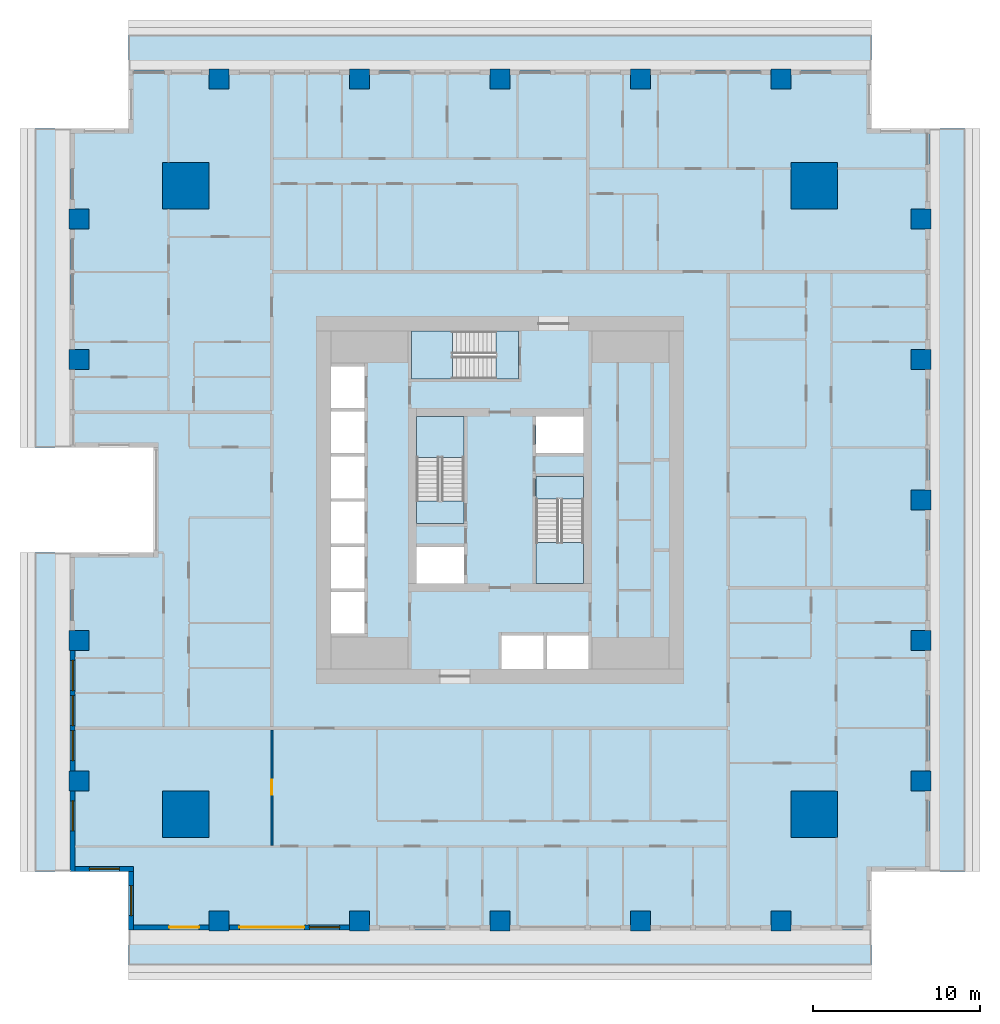
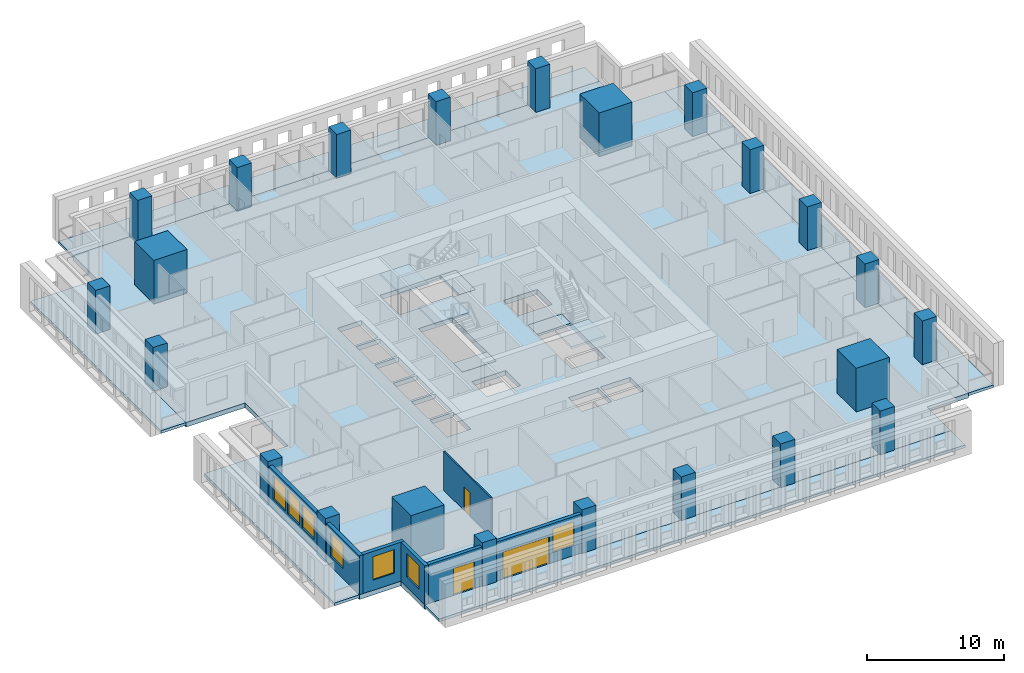
# One storey, part 1 of 15: 23 columns, 12 slabs, 7 walls, 7 windows, 3 doors, 10 openings, 3 elements without a shape of their own.
"""IFC4 building model written with IfcOpenShell, lengths in metres."""

import ifcopenshell
import ifcopenshell.guid

model = None  # the IFC model being written
_history = None  # IfcOwnerHistory: only IFC2X3 demands one
_inside = {}  # id of a spatial element -> (the spatial element, [elements in it])
_under = {}  # id of a project, library or spatial element -> (it, [spatial elements below it])
_declared = {}  # id of a project -> (the project, [libraries it declares])
_typed = {}  # id of a type object -> (the type object, [elements of that type])
_made_of = {}  # id of a material, layer set ... -> (it, [elements and type objects made of it])


def new_model(schema):
    """Start an empty IFC model of exactly this schema.

    Asked for "IFC4X3", IfcOpenShell would pick the latest addendum, in which some entities
    have other attributes; the version numbers below select the first issue.
    IFC2X3 requires an IfcOwnerHistory on every rooted entity: one is made here for all.
    """
    global model, _history
    if schema == "IFC4X3":
        model = ifcopenshell.file(schema_version=(4, 3, 0, 0))
    else:
        model = ifcopenshell.file(schema=schema)
    _inside.clear()
    _under.clear()
    _declared.clear()
    _typed.clear()
    _made_of.clear()
    _history = None
    if model.schema == "IFC2X3":
        org = make("IfcOrganization", Name="unknown")
        user = make(
            "IfcPersonAndOrganization",
            ThePerson=make("IfcPerson", FamilyName="unknown"),
            TheOrganization=org,
        )
        app = make(
            "IfcApplication",
            ApplicationDeveloper=org,
            Version="unknown",
            ApplicationFullName="unknown",
            ApplicationIdentifier="unknown",
        )
        _history = make(
            "IfcOwnerHistory",
            OwningUser=user,
            OwningApplication=app,
            ChangeAction="ADDED",
            CreationDate=0,
        )
    return model


def make(cls, **values):
    """One entity of the class cls with the attributes given. An attribute that is None is left unset."""
    return model.create_entity(
        cls, **{name: value for name, value in values.items() if value is not None}
    )


def rooted(cls, **values):
    """An entity with a GlobalId (a new one), such as an element, a storey or a relation."""
    return make(cls, GlobalId=ifcopenshell.guid.new(), OwnerHistory=_history, **values)


def si_unit(unit_type, name, prefix=None):
    """IfcSIUnit, for example si_unit("LENGTHUNIT", "METRE", prefix="MILLI")."""
    return make("IfcSIUnit", UnitType=unit_type, Prefix=prefix, Name=name)


def assignment(units):
    """IfcUnitAssignment: the units of a project."""
    return None if units is None else make("IfcUnitAssignment", Units=units)


def point(xyz):
    """IfcCartesianPoint."""
    return None if xyz is None else make("IfcCartesianPoint", Coordinates=xyz)


def direction(xyz):
    """IfcDirection."""
    return None if xyz is None else make("IfcDirection", DirectionRatios=xyz)


def frame(location, z_axis=None, x_axis=None):
    """IfcAxis2Placement3D, a coordinate frame: its origin and axes. An axis left out is left unset."""
    return make(
        "IfcAxis2Placement3D",
        Location=point(location),
        Axis=direction(z_axis),
        RefDirection=direction(x_axis),
    )


def frame_2d(location, x_axis=None):
    """IfcAxis2Placement2D, a coordinate frame in the plane: its origin and x axis."""
    return make(
        "IfcAxis2Placement2D", Location=point(location), RefDirection=direction(x_axis)
    )


def origin():
    """The frame at (0, 0, 0) with its axes left unset."""
    return frame((0.0, 0.0, 0.0))


def origin_2d():
    """The frame at (0, 0) in the plane with its x axis left unset."""
    return frame_2d((0.0, 0.0))


def place(relative_to, where):
    """IfcLocalPlacement: puts the frame where relative to a parent placement (None: the world)."""
    return make(
        "IfcLocalPlacement", PlacementRelTo=relative_to, RelativePlacement=where
    )


def context(
    kind, dimensions, precision=None, world=None, true_north=None, identifier=None
):
    """IfcGeometricRepresentationContext, for example the 3D "Model" context."""
    return make(
        "IfcGeometricRepresentationContext",
        ContextIdentifier=identifier,
        ContextType=kind,
        CoordinateSpaceDimension=dimensions,
        Precision=precision,
        WorldCoordinateSystem=world,
        TrueNorth=true_north,
    )


def subcontext(parent, identifier, kind, view, scale=None):
    """IfcGeometricRepresentationSubContext, for example "Body" below "Model"."""
    return make(
        "IfcGeometricRepresentationSubContext",
        ContextIdentifier=identifier,
        ContextType=kind,
        ParentContext=parent,
        TargetScale=scale,
        TargetView=view,
    )


def project(units=None, contexts=None):
    """IfcProject with its units and contexts."""
    return rooted(
        "IfcProject",
        Name="project",
        RepresentationContexts=contexts,
        UnitsInContext=assignment(units),
    )


def spatial(cls, under=None, at=None, **own):
    """A site, building, storey or space (cls), placed at a placement, below another one or the project."""
    s = rooted(cls, ObjectPlacement=at, **own)
    if under is not None:
        _under.setdefault(under.id(), (under, []))[1].append(s)
    return s


def polyline(points):
    """IfcPolyline through the points."""
    return make("IfcPolyline", Points=[point(p) for p in points])


def profile(cls, at=None, kind="AREA", **sizes):
    """A parametric profile (cls). Its sizes go by their IFC names, for example OverallWidth=200.0."""
    return make(cls, ProfileType=kind, Position=at, **sizes)


def rectangle(**sizes):
    """IfcRectangleProfileDef."""
    return profile("IfcRectangleProfileDef", **sizes)


def outline(outer, holes=None, kind="AREA"):
    """IfcArbitraryClosedProfileDef: a profile drawn as a closed curve; with holes, ...WithVoids."""
    if holes is None:
        return make("IfcArbitraryClosedProfileDef", ProfileType=kind, OuterCurve=outer)
    return make(
        "IfcArbitraryProfileDefWithVoids",
        ProfileType=kind,
        OuterCurve=outer,
        InnerCurves=holes,
    )


def extrude(swept, where, along, depth):
    """IfcExtrudedAreaSolid: the profile swept, set in the frame where, extruded along a direction by depth."""
    return make(
        "IfcExtrudedAreaSolid",
        SweptArea=swept,
        Position=where,
        ExtrudedDirection=direction(along),
        Depth=depth,
    )


def shape(context_of_items, identifier, shape_type, items):
    """IfcShapeRepresentation: the items that make up one representation, for example the "Body"."""
    return make(
        "IfcShapeRepresentation",
        ContextOfItems=context_of_items,
        RepresentationIdentifier=identifier,
        RepresentationType=shape_type,
        Items=items,
    )


def material(Name=None, Category=None):
    """IfcMaterial."""
    return make("IfcMaterial", Name=Name, Category=Category)


def layer(
    of_material, thickness, ventilated=None, Name=None, Category=None, Priority=None
):
    """IfcMaterialLayer: one layer of a wall or slab, of a material (None: an air gap)."""
    return make(
        "IfcMaterialLayer",
        Material=of_material,
        LayerThickness=thickness,
        IsVentilated=ventilated,
        Name=Name,
        Category=Category,
        Priority=Priority,
    )


def layer_set(layers, Name=None):
    """IfcMaterialLayerSet."""
    return make("IfcMaterialLayerSet", MaterialLayers=layers, LayerSetName=Name)


def material_profile(
    of_material, cross_section, Name=None, Category=None, Priority=None
):
    """IfcMaterialProfile: a cross section and its material."""
    return make(
        "IfcMaterialProfile",
        Name=Name,
        Material=of_material,
        Profile=cross_section,
        Priority=Priority,
        Category=Category,
    )


def profile_set(profiles, Name=None, composite=None):
    """IfcMaterialProfileSet."""
    return make(
        "IfcMaterialProfileSet",
        Name=Name,
        MaterialProfiles=profiles,
        CompositeProfile=composite,
    )


def made_of(thing, what):
    """Note that an element or type object is made of a material, layer set ...; save() writes the relation."""
    if what is not None:
        _made_of.setdefault(what.id(), (what, []))[1].append(thing)
    return thing


def type_object(cls, material=None, **own):
    """A type object (cls), such as IfcWallType, which elements share."""
    return made_of(rooted(cls, **own), material)


def element(
    cls,
    number,
    at=None,
    inside=None,
    cuts=None,
    type_object=None,
    material=None,
    context=None,
    identifier="Body",
    shape_type=None,
    held_by="IfcProductDefinitionShape",
    body=None,
    shapes=None,
    **own,
):
    """One element of the class cls, such as IfcWall. Its Tag is "e" and its number.

    at: its placement. inside: the storey or other place that contains it. cuts: it is an
    opening in that element (IfcRelVoidsElement). A single representation is given by context,
    identifier, shape_type and body (its items); several are given by shapes. held_by: the class
    of the entity that holds the representations. save() writes the other relations.
    """
    e = rooted(cls, Tag="e%d" % number, ObjectPlacement=at, **own)
    if body is not None:
        shapes = [shape(context, identifier, shape_type, body)]
    if shapes is not None:
        e.Representation = make(held_by, Representations=shapes)
    if inside is not None:
        _inside.setdefault(inside.id(), (inside, []))[1].append(e)
    if cuts is not None:
        rooted(
            "IfcRelVoidsElement", RelatingBuildingElement=cuts, RelatedOpeningElement=e
        )
    if type_object is not None:
        _typed.setdefault(type_object.id(), (type_object, []))[1].append(e)
    return made_of(e, material)


def fill(opening, filler):
    """IfcRelFillsElement: the door or window that sits in an opening."""
    return rooted(
        "IfcRelFillsElement",
        RelatingOpeningElement=opening,
        RelatedBuildingElement=filler,
    )


def aggregate(whole, parts):
    """IfcRelAggregates: a whole, such as a stair, and the parts it consists of."""
    return rooted("IfcRelAggregates", RelatingObject=whole, RelatedObjects=parts)


def save(model, path):
    """Write the relations noted so far, then the file.

    IfcRelAggregates (storeys below a building ...), IfcRelContainedInSpatialStructure (elements
    in a storey), IfcRelDefinesByType, IfcRelAssociatesMaterial and IfcRelDeclares: one each for
    every whole, place, type object, material and project.
    """
    for whole, parts in _under.values():
        aggregate(whole, parts)
    for where, things in _inside.values():
        rooted(
            "IfcRelContainedInSpatialStructure",
            RelatedElements=things,
            RelatingStructure=where,
        )
    for kind, things in _typed.values():
        rooted("IfcRelDefinesByType", RelatedObjects=things, RelatingType=kind)
    for what, things in _made_of.values():
        rooted("IfcRelAssociatesMaterial", RelatedObjects=things, RelatingMaterial=what)
    for by, libraries in _declared.values():
        rooted("IfcRelDeclares", RelatingContext=by, RelatedDefinitions=libraries)
    model.write(path)


model = new_model("IFC4")

# Units and contexts
model_context = context("Model", 3, precision=1e-05, world=origin(), true_north=direction((0.0, 1.0)))
body_context = subcontext(model_context, "Body", "Model", "MODEL_VIEW")
ifc_project = project(units=[si_unit("LENGTHUNIT", "METRE"), si_unit("AREAUNIT", "SQUARE_METRE"), si_unit("VOLUMEUNIT", "CUBIC_METRE"), si_unit("PLANEANGLEUNIT", "RADIAN"), si_unit("MASSUNIT", "GRAM", prefix="KILO")], contexts=[model_context])

# Site, building, storey
site_placement = place(None, origin())
site = spatial("IfcSite", under=ifc_project, at=site_placement, CompositionType="ELEMENT")
building_placement = place(site_placement, origin())
building = spatial("IfcBuilding", under=site, at=building_placement, Name="Khepri Terraces", CompositionType="ELEMENT")
storey_placement = place(building_placement, frame((0.0, 0.0, 83.10009765625)))
storey = spatial("IfcBuildingStorey", under=building, at=storey_placement, Name="L19", CompositionType="ELEMENT", Elevation=83.10009765625)

# Columns
ifc_material_1 = material(Name="Concrete C70/85", Category="concrete")
ifc_material_profile_1 = material_profile(ifc_material_1, rectangle(XDim=2.800048828125, YDim=2.800048828125, at=origin_2d()), Name="Concrete C70/85", Category="concrete")
ifc_profile_set_1 = profile_set([ifc_material_profile_1], Name="Concrete C70/85")
column_type_1 = type_object("IfcColumnType", Name="Mega column RC 2800x2800 C70/85", PredefinedType="COLUMN", material=ifc_profile_set_1)
for number, where, z_axis, x_axis, name in (
    (1, (18.800048828125, 18.800048828125, 0.0), (0.0, 0.0, 1.0), (1.0, 0.0, 0.0), "Mega column MEN L19"),
    (2, (18.800048828125, -18.800048828125, 0.0), (0.0, 0.0, 1.0), (1.0, 0.0, 0.0), "Mega column MES L19"),
    (3, (-18.800048828125, 18.800048828125, 0.0), (0.0, 0.0, 1.0), (1.0, 0.0, 0.0), "Mega column MWN L19"),
    (4, (-18.800048828125, -18.800048828125, 0.0), (0.0, 0.0, 1.0), (1.0, 0.0, 0.0), "Mega column MWS L19"),
):
    element("IfcColumn", number, at=place(storey_placement, frame(where, z_axis=z_axis, x_axis=x_axis)), inside=storey, type_object=column_type_1, Name=name, PredefinedType="COLUMN", context=body_context, shape_type="SweptSolid", body=[
        extrude(rectangle(XDim=2.800048828125, YDim=2.800048828125, at=origin_2d()), origin(), (0.0, 0.0, 1.0), 3.89990234375),
    ])
ifc_material_profile_2 = material_profile(ifc_material_1, rectangle(XDim=1.199951171875, YDim=1.199951171875, at=origin_2d()), Name="Concrete C70/85", Category="concrete")
ifc_profile_set_2 = profile_set([ifc_material_profile_2], Name="Concrete C70/85")
column_type_2 = type_object("IfcColumnType", Name="Tower column RC 1200x1200 C70/85", PredefinedType="COLUMN", material=ifc_profile_set_2)
for number, where, z_axis, x_axis, name in (
    (5, (25.199951171875, 0.0, 0.0), (0.0, 0.0, 1.0), (1.0, 0.0, 0.0), "Perimeter column PE+000a L19"),
    (6, (25.199951171875, 8.39990234375, 0.0), (0.0, 0.0, 1.0), (1.0, 0.0, 0.0), "Perimeter column PE+084a L19"),
    (7, (25.199951171875, 16.800048828125, 0.0), (0.0, 0.0, 1.0), (1.0, 0.0, 0.0), "Perimeter column PE+168a L19"),
    (8, (25.199951171875, -8.39990234375, 0.0), (0.0, 0.0, 1.0), (1.0, 0.0, 0.0), "Perimeter column PE-084a L19"),
    (9, (25.199951171875, -16.800048828125, 0.0), (0.0, 0.0, 1.0), (1.0, 0.0, 0.0), "Perimeter column PE-168a L19"),
    (10, (0.0, 25.199951171875, 0.0), (0.0, 0.0, 1.0), (1.0, 0.0, 0.0), "Perimeter column PN+000a L19"),
    (11, (-8.39990234375, 25.199951171875, 0.0), (0.0, 0.0, 1.0), (1.0, 0.0, 0.0), "Perimeter column PN+084a L19"),
    (12, (-16.800048828125, 25.199951171875, 0.0), (0.0, 0.0, 1.0), (1.0, 0.0, 0.0), "Perimeter column PN+168a L19"),
    (13, (8.39990234375, 25.199951171875, 0.0), (0.0, 0.0, 1.0), (1.0, 0.0, 0.0), "Perimeter column PN-084a L19"),
    (14, (16.800048828125, 25.199951171875, 0.0), (0.0, 0.0, 1.0), (1.0, 0.0, 0.0), "Perimeter column PN-168a L19"),
    (15, (0.0, -25.199951171875, 0.0), (0.0, 0.0, 1.0), (1.0, 0.0, 0.0), "Perimeter column PS+000b L19"),
    (16, (8.39990234375, -25.199951171875, 0.0), (0.0, 0.0, 1.0), (1.0, 0.0, 0.0), "Perimeter column PS+084b L19"),
    (17, (16.800048828125, -25.199951171875, 0.0), (0.0, 0.0, 1.0), (1.0, 0.0, 0.0), "Perimeter column PS+168a L19"),
    (18, (-8.39990234375, -25.199951171875, 0.0), (0.0, 0.0, 1.0), (1.0, 0.0, 0.0), "Perimeter column PS-084b L19"),
    (19, (-16.800048828125, -25.199951171875, 0.0), (0.0, 0.0, 1.0), (1.0, 0.0, 0.0), "Perimeter column PS-168a L19"),
    (20, (-25.199951171875, -8.39990234375, 0.0), (0.0, 0.0, 1.0), (1.0, 0.0, 0.0), "Perimeter column PW+084a L19"),
    (21, (-25.199951171875, -16.800048828125, 0.0), (0.0, 0.0, 1.0), (1.0, 0.0, 0.0), "Perimeter column PW+168a L19"),
    (22, (-25.199951171875, 8.39990234375, 0.0), (0.0, 0.0, 1.0), (1.0, 0.0, 0.0), "Perimeter column PW-084a L19"),
    (23, (-25.199951171875, 16.800048828125, 0.0), (0.0, 0.0, 1.0), (1.0, 0.0, 0.0), "Perimeter column PW-168a L19"),
):
    element("IfcColumn", number, at=place(storey_placement, frame(where, z_axis=z_axis, x_axis=x_axis)), inside=storey, type_object=column_type_2, Name=name, PredefinedType="COLUMN", context=body_context, shape_type="SweptSolid", body=[
        extrude(rectangle(XDim=1.199951171875, YDim=1.199951171875, at=origin_2d()), origin(), (0.0, 0.0, 1.0), 3.89990234375),
    ])

# Slabs
ifc_material_2 = material(Name="Concrete C40/50", Category="concrete")
ifc_layer_1 = layer(ifc_material_2, 0.419921875, Name="Concrete C40/50", Category="concrete")
ifc_layer_set_1 = layer_set([ifc_layer_1], Name="Concrete C40/50")
slab_type_1 = type_object("IfcSlabType", Name="Flat plate 420", PredefinedType="FLOOR", material=ifc_layer_set_1)
slab_1_placement = place(storey_placement, frame((0.0, 0.0, -0.420166015625)))
element("IfcSlab", 24, at=slab_1_placement, inside=storey, type_object=slab_type_1, Name="Floor slab F01 L19", PredefinedType="FLOOR", context=body_context, shape_type="SweptSolid", body=[
    extrude(outline(polyline([(22.219970703125, 22.219970703125), (25.719970703125, 22.219970703125), (25.719970703125, -22.219970703125), (22.219970703125, -22.219970703125), (22.219970703125, -25.719970703125), (-22.219970703125, -25.719970703125), (-22.219970703125, -22.219970703125), (-25.719970703125, -22.219970703125), (-25.719970703125, -3.14990234375), (-20.719970703125, -3.14990234375), (-20.719970703125, 3.14990234375), (-25.719970703125, 3.14990234375), (-25.719970703125, 22.219970703125), (-22.219970703125, 22.219970703125), (-22.219970703125, 25.719970703125), (22.219970703125, 25.719970703125), (22.219970703125, 22.219970703125)]), holes=[polyline([(5.0, 5.0), (2.14990234375, 5.0), (2.14990234375, 2.800048828125), (5.0, 2.800048828125), (5.0, 5.0)]), polyline([(-2.14990234375, -5.0), (-2.14990234375, -2.800048828125), (-5.0, -2.800048828125), (-5.0, -5.0), (-2.14990234375, -5.0)]), polyline([(-10.10009765625, -8.0), (-8.10009765625, -8.0), (-8.10009765625, -5.5), (-10.10009765625, -5.5), (-10.10009765625, -8.0)]), polyline([(-10.10009765625, -2.800048828125), (-10.10009765625, -5.300048828125), (-8.10009765625, -5.300048828125), (-8.10009765625, -2.800048828125), (-10.10009765625, -2.800048828125)]), polyline([(-8.10009765625, -0.10009765625), (-10.10009765625, -0.10009765625), (-10.10009765625, -2.60009765625), (-8.10009765625, -2.60009765625), (-8.10009765625, -0.10009765625)]), polyline([(-8.10009765625, 0.10009765625), (-8.10009765625, 2.60009765625), (-10.10009765625, 2.60009765625), (-10.10009765625, 0.10009765625), (-8.10009765625, 0.10009765625)]), polyline([(-10.10009765625, 2.800048828125), (-8.10009765625, 2.800048828125), (-8.10009765625, 5.300048828125), (-10.10009765625, 5.300048828125), (-10.10009765625, 2.800048828125)]), polyline([(-10.10009765625, 8.0), (-10.10009765625, 5.5), (-8.10009765625, 5.5), (-8.10009765625, 8.0), (-10.10009765625, 8.0)]), polyline([(2.60009765625, -8.10009765625), (0.10009765625, -8.10009765625), (0.10009765625, -10.10009765625), (2.60009765625, -10.10009765625), (2.60009765625, -8.10009765625)]), polyline([(5.300048828125, -10.10009765625), (5.300048828125, -8.10009765625), (2.800048828125, -8.10009765625), (2.800048828125, -10.10009765625), (5.300048828125, -10.10009765625)]), polyline([(-5.0, -1.39990234375), (-2.14990234375, -1.39990234375), (-2.14990234375, 5.0), (-5.0, 5.0), (-5.0, -1.39990234375)]), polyline([(5.0, -5.0), (5.0, 1.39990234375), (2.14990234375, 1.39990234375), (2.14990234375, -5.0), (5.0, -5.0)]), polyline([(-5.300048828125, 10.10009765625), (-5.300048828125, 7.25), (1.10009765625, 7.25), (1.10009765625, 10.10009765625), (-5.300048828125, 10.10009765625)])]), origin(), (0.0, 0.0, 1.0), 0.420166015625),
])
ifc_material_3 = material(Name="Precast concrete C50/60 warm stone", Category="masonry")
ifc_layer_2 = layer(ifc_material_3, 0.25, Name="Precast concrete C50/60 warm stone", Category="masonry")
ifc_layer_set_2 = layer_set([ifc_layer_2], Name="Precast concrete C50/60 warm stone")
slab_type_2 = type_object("IfcSlabType", Name="SLB-BALCONY-250", PredefinedType="FLOOR", material=ifc_layer_set_2)
slab_2_placement = place(storey_placement, frame((0.0, 0.0, -0.25)))
element("IfcSlab", 25, at=slab_2_placement, inside=storey, type_object=slab_type_2, Name="Balcony slab L19 S", PredefinedType="FLOOR", context=body_context, shape_type="SweptSolid", body=[
    extrude(outline(polyline([(-17.39990234375, -25.719970703125), (-22.219970703125, -25.719970703125), (-22.219970703125, -27.820068359375), (22.219970703125, -27.820068359375), (22.219970703125, -25.719970703125), (17.39990234375, -25.719970703125), (17.39990234375, -25.800048828125), (16.199951171875, -25.800048828125), (16.199951171875, -25.719970703125), (9.0, -25.719970703125), (9.0, -25.800048828125), (7.800048828125, -25.800048828125), (7.800048828125, -25.719970703125), (0.60009765625, -25.719970703125), (0.60009765625, -25.800048828125), (-0.60009765625, -25.800048828125), (-0.60009765625, -25.719970703125), (-7.800048828125, -25.719970703125), (-7.800048828125, -25.800048828125), (-9.0, -25.800048828125), (-9.0, -25.719970703125), (-16.199951171875, -25.719970703125), (-16.199951171875, -25.800048828125), (-17.39990234375, -25.800048828125), (-17.39990234375, -25.719970703125)])), origin(), (0.0, 0.0, 1.0), 0.25),
])
slab_3_placement = place(storey_placement, frame((0.0, 0.0, -0.25)))
element("IfcSlab", 26, at=slab_3_placement, inside=storey, type_object=slab_type_2, Name="Balcony slab L19 E", PredefinedType="FLOOR", context=body_context, shape_type="SweptSolid", body=[
    extrude(outline(polyline([(25.719970703125, -17.39990234375), (25.719970703125, -22.219970703125), (27.820068359375, -22.219970703125), (27.820068359375, 22.219970703125), (25.719970703125, 22.219970703125), (25.719970703125, 17.39990234375), (25.800048828125, 17.39990234375), (25.800048828125, 16.199951171875), (25.719970703125, 16.199951171875), (25.719970703125, 9.0), (25.800048828125, 9.0), (25.800048828125, 7.800048828125), (25.719970703125, 7.800048828125), (25.719970703125, 0.60009765625), (25.800048828125, 0.60009765625), (25.800048828125, -0.60009765625), (25.719970703125, -0.60009765625), (25.719970703125, -7.800048828125), (25.800048828125, -7.800048828125), (25.800048828125, -9.0), (25.719970703125, -9.0), (25.719970703125, -16.199951171875), (25.800048828125, -16.199951171875), (25.800048828125, -17.39990234375), (25.719970703125, -17.39990234375)])), origin(), (0.0, 0.0, 1.0), 0.25),
])
slab_4_placement = place(storey_placement, frame((0.0, 0.0, -0.25)))
element("IfcSlab", 27, at=slab_4_placement, inside=storey, type_object=slab_type_2, Name="Balcony slab L19 N", PredefinedType="FLOOR", context=body_context, shape_type="SweptSolid", body=[
    extrude(outline(polyline([(17.39990234375, 25.719970703125), (22.219970703125, 25.719970703125), (22.219970703125, 27.820068359375), (-22.219970703125, 27.820068359375), (-22.219970703125, 25.719970703125), (-17.39990234375, 25.719970703125), (-17.39990234375, 25.800048828125), (-16.199951171875, 25.800048828125), (-16.199951171875, 25.719970703125), (-9.0, 25.719970703125), (-9.0, 25.800048828125), (-7.800048828125, 25.800048828125), (-7.800048828125, 25.719970703125), (-0.60009765625, 25.719970703125), (-0.60009765625, 25.800048828125), (0.60009765625, 25.800048828125), (0.60009765625, 25.719970703125), (7.800048828125, 25.719970703125), (7.800048828125, 25.800048828125), (9.0, 25.800048828125), (9.0, 25.719970703125), (16.199951171875, 25.719970703125), (16.199951171875, 25.800048828125), (17.39990234375, 25.800048828125), (17.39990234375, 25.719970703125)])), origin(), (0.0, 0.0, 1.0), 0.25),
])
slab_5_placement = place(storey_placement, frame((0.0, 0.0, -0.25)))
element("IfcSlab", 28, at=slab_5_placement, inside=storey, type_object=slab_type_2, Name="Balcony slab L19 W", PredefinedType="FLOOR", context=body_context, shape_type="SweptSolid", body=[
    extrude(outline(polyline([(-25.719970703125, 17.39990234375), (-25.719970703125, 22.219970703125), (-27.820068359375, 22.219970703125), (-27.820068359375, 3.14990234375), (-25.719970703125, 3.14990234375), (-25.719970703125, 7.800048828125), (-25.800048828125, 7.800048828125), (-25.800048828125, 9.0), (-25.719970703125, 9.0), (-25.719970703125, 16.199951171875), (-25.800048828125, 16.199951171875), (-25.800048828125, 17.39990234375), (-25.719970703125, 17.39990234375)])), origin(), (0.0, 0.0, 1.0), 0.25),
])
slab_6_placement = place(storey_placement, frame((0.0, 0.0, -0.25)))
element("IfcSlab", 29, at=slab_6_placement, inside=storey, type_object=slab_type_2, Name="Balcony slab L19 W", PredefinedType="FLOOR", context=body_context, shape_type="SweptSolid", body=[
    extrude(outline(polyline([(-25.719970703125, -7.800048828125), (-25.719970703125, -3.14990234375), (-27.820068359375, -3.14990234375), (-27.820068359375, -22.219970703125), (-25.719970703125, -22.219970703125), (-25.719970703125, -17.39990234375), (-25.800048828125, -17.39990234375), (-25.800048828125, -16.199951171875), (-25.719970703125, -16.199951171875), (-25.719970703125, -9.0), (-25.800048828125, -9.0), (-25.800048828125, -7.800048828125), (-25.719970703125, -7.800048828125)])), origin(), (0.0, 0.0, 1.0), 0.25),
])

# Stair, slabs
stair_type = type_object("IfcStairType", Name="STAIR-RC-22R", PredefinedType="HALF_TURN_STAIR", material=ifc_material_2)
stair_1_placement = place(storey_placement, origin())
stair_1 = element("IfcStair", 30, at=stair_1_placement, inside=storey, type_object=stair_type, Name="L19 Exit Stair ST-1", PredefinedType="HALF_TURN_STAIR")
ifc_layer_3 = layer(ifc_material_2, 0.199951171875, Name="Concrete C40/50", Category="concrete")
ifc_layer_set_3 = layer_set([ifc_layer_3], Name="Concrete C40/50")
slab_type_3 = type_object("IfcSlabType", Name="SLB-CORE-LANDING", PredefinedType="LANDING", material=ifc_layer_set_3)
slab_7_placement = place(storey_placement, frame((0.0, 0.0, -0.2001953125)))
slab_7 = element("IfcSlab", 31, at=slab_7_placement, type_object=slab_type_3, Name="ST-1 landing 1", PredefinedType="LANDING", context=body_context, shape_type="SweptSolid", body=[
    extrude(outline(polyline([(-2.14990234375, -1.39990234375), (-2.14990234375, -0.050048828125), (-5.0, -0.050048828125), (-5.0, -1.39990234375), (-2.14990234375, -1.39990234375)])), origin(), (0.0, 0.0, 1.0), 0.2001953125),
])
slab_8_placement = place(storey_placement, frame((0.0, 0.0, 1.75)))
slab_8 = element("IfcSlab", 32, at=slab_8_placement, type_object=slab_type_3, Name="ST-1 landing 2", PredefinedType="LANDING", context=body_context, shape_type="SweptSolid", body=[
    extrude(outline(polyline([(-2.14990234375, 2.550048828125), (-2.14990234375, 5.0), (-5.0, 5.0), (-5.0, 2.550048828125), (-2.14990234375, 2.550048828125)])), origin(), (0.0, 0.0, 1.0), 0.199951171875),
])
aggregate(stair_1, [slab_7, slab_8])

stair_2_placement = place(storey_placement, origin())
stair_2 = element("IfcStair", 33, at=stair_2_placement, inside=storey, type_object=stair_type, Name="L19 Exit Stair ST-2", PredefinedType="HALF_TURN_STAIR")
slab_9_placement = place(storey_placement, frame((0.0, 0.0, -0.2001953125)))
slab_9 = element("IfcSlab", 34, at=slab_9_placement, type_object=slab_type_3, Name="ST-2 landing 1", PredefinedType="LANDING", context=body_context, shape_type="SweptSolid", body=[
    extrude(outline(polyline([(2.14990234375, 1.39990234375), (2.14990234375, 0.050048828125), (5.0, 0.050048828125), (5.0, 1.39990234375), (2.14990234375, 1.39990234375)])), origin(), (0.0, 0.0, 1.0), 0.2001953125),
])
slab_10_placement = place(storey_placement, frame((0.0, 0.0, 1.75)))
slab_10 = element("IfcSlab", 35, at=slab_10_placement, type_object=slab_type_3, Name="ST-2 landing 2", PredefinedType="LANDING", context=body_context, shape_type="SweptSolid", body=[
    extrude(outline(polyline([(2.14990234375, -2.550048828125), (2.14990234375, -5.0), (5.0, -5.0), (5.0, -2.550048828125), (2.14990234375, -2.550048828125)])), origin(), (0.0, 0.0, 1.0), 0.199951171875),
])
aggregate(stair_2, [slab_9, slab_10])

stair_3_placement = place(storey_placement, origin())
stair_3 = element("IfcStair", 36, at=stair_3_placement, inside=storey, type_object=stair_type, Name="L19 Exit Stair ST-3", PredefinedType="HALF_TURN_STAIR")
slab_11_placement = place(storey_placement, frame((0.0, 0.0, -0.2001953125)))
slab_11 = element("IfcSlab", 37, at=slab_11_placement, type_object=slab_type_3, Name="ST-3 landing 1", PredefinedType="LANDING", context=body_context, shape_type="SweptSolid", body=[
    extrude(outline(polyline([(1.10009765625, 10.10009765625), (-0.25, 10.10009765625), (-0.25, 7.25), (1.10009765625, 7.25), (1.10009765625, 10.10009765625)])), origin(), (0.0, 0.0, 1.0), 0.2001953125),
])
slab_12_placement = place(storey_placement, frame((0.0, 0.0, 1.75)))
slab_12 = element("IfcSlab", 38, at=slab_12_placement, type_object=slab_type_3, Name="ST-3 landing 2", PredefinedType="LANDING", context=body_context, shape_type="SweptSolid", body=[
    extrude(outline(polyline([(-2.85009765625, 10.10009765625), (-5.300048828125, 10.10009765625), (-5.300048828125, 7.25), (-2.85009765625, 7.25), (-2.85009765625, 10.10009765625)])), origin(), (0.0, 0.0, 1.0), 0.199951171875),
])
aggregate(stair_3, [slab_11, slab_12])

# Wall, openings, windows
ifc_layer_4 = layer(ifc_material_3, 0.300048828125, Name="Precast concrete C50/60 warm stone", Category="masonry")
ifc_layer_set_4 = layer_set([ifc_layer_4], Name="Precast concrete C50/60 warm stone")
wall_type_1 = type_object("IfcWallType", Name="WL-EXT-PRECAST-300", PredefinedType="STANDARD", material=ifc_layer_set_4)
wall_1_placement = place(storey_placement, frame((-25.570068359375, -9.0, 0.0), z_axis=(0.0, 0.0, 1.0), x_axis=(0.0, -1.0, 0.0)))
wall_1 = element("IfcWall", 39, at=wall_1_placement, inside=storey, type_object=wall_type_1, Name="External wall L19 W", PredefinedType="STANDARD", context=body_context, shape_type="SweptSolid", body=[
    extrude(rectangle(XDim=7.199951171875, YDim=0.300048828125, at=frame_2d((3.60009765625, 0.0))), origin(), (0.0, 0.0, 1.0), 3.47998046875),
])
opening_1_placement = place(wall_1_placement, frame((0.60009765625, 0.0, 0.89990234375)))
opening_1 = element("IfcOpeningElement", 40, at=opening_1_placement, cuts=wall_1, Name="Opening W1", PredefinedType="OPENING", context=body_context, shape_type="SweptSolid", body=[
    extrude(rectangle(XDim=1.800048828125, YDim=2.10009765625, at=frame_2d((0.89990234375, 1.050048828125))), frame((0.0, 0.16015625, 0.0), z_axis=(0.0, -1.0, 0.0), x_axis=(1.0, 0.0, 0.0)), (0.0, 0.0, 1.0), 0.320068359375),
])
opening_2_placement = place(wall_1_placement, frame((2.699951171875, 0.0, 0.89990234375)))
opening_2 = element("IfcOpeningElement", 41, at=opening_2_placement, cuts=wall_1, Name="Opening W1", PredefinedType="OPENING", context=body_context, shape_type="SweptSolid", body=[
    extrude(rectangle(XDim=1.800048828125, YDim=2.10009765625, at=frame_2d((0.89990234375, 1.050048828125))), frame((0.0, 0.16015625, 0.0), z_axis=(0.0, -1.0, 0.0), x_axis=(1.0, 0.0, 0.0)), (0.0, 0.0, 1.0), 0.320068359375),
])
opening_3_placement = place(wall_1_placement, frame((4.800048828125, 0.0, 0.89990234375)))
opening_3 = element("IfcOpeningElement", 42, at=opening_3_placement, cuts=wall_1, Name="Opening W1", PredefinedType="OPENING", context=body_context, shape_type="SweptSolid", body=[
    extrude(rectangle(XDim=1.800048828125, YDim=2.10009765625, at=frame_2d((0.89990234375, 1.050048828125))), frame((0.0, 0.16015625, 0.0), z_axis=(0.0, -1.0, 0.0), x_axis=(1.0, 0.0, 0.0)), (0.0, 0.0, 1.0), 0.320068359375),
])
ifc_material_4 = material(Name="Clear glass", Category="glass")
window_type = type_object("IfcWindowType", Name="WIN-RES-1800x2100", PartitioningType="SINGLE_PANEL", PredefinedType="WINDOW", material=ifc_material_4)
window_1_placement = place(opening_1_placement, origin())
window_1 = element("IfcWindow", 43, at=window_1_placement, inside=storey, type_object=window_type, Name="Window L19 W", OverallHeight=2.10009765625, OverallWidth=1.800048828125, PartitioningType="SINGLE_PANEL", PredefinedType="WINDOW", context=body_context, shape_type="SweptSolid", body=[
    extrude(rectangle(XDim=1.800048828125, YDim=2.10009765625, at=frame_2d((0.89990234375, 1.050048828125))), frame((0.0, 0.030029296875, 0.0), z_axis=(0.0, -1.0, 0.0), x_axis=(1.0, 0.0, 0.0)), (0.0, 0.0, 1.0), 0.06005859375),
])
fill(opening_1, window_1)
window_2_placement = place(opening_2_placement, origin())
window_2 = element("IfcWindow", 44, at=window_2_placement, inside=storey, type_object=window_type, Name="Window L19 W", OverallHeight=2.10009765625, OverallWidth=1.800048828125, PartitioningType="SINGLE_PANEL", PredefinedType="WINDOW", context=body_context, shape_type="SweptSolid", body=[
    extrude(rectangle(XDim=1.800048828125, YDim=2.10009765625, at=frame_2d((0.89990234375, 1.050048828125))), frame((0.0, 0.030029296875, 0.0), z_axis=(0.0, -1.0, 0.0), x_axis=(1.0, 0.0, 0.0)), (0.0, 0.0, 1.0), 0.06005859375),
])
fill(opening_2, window_2)
window_3_placement = place(opening_3_placement, origin())
window_3 = element("IfcWindow", 45, at=window_3_placement, inside=storey, type_object=window_type, Name="Window L19 W", OverallHeight=2.10009765625, OverallWidth=1.800048828125, PartitioningType="SINGLE_PANEL", PredefinedType="WINDOW", context=body_context, shape_type="SweptSolid", body=[
    extrude(rectangle(XDim=1.800048828125, YDim=2.10009765625, at=frame_2d((0.89990234375, 1.050048828125))), frame((0.0, 0.030029296875, 0.0), z_axis=(0.0, -1.0, 0.0), x_axis=(1.0, 0.0, 0.0)), (0.0, 0.0, 1.0), 0.06005859375),
])
fill(opening_3, window_3)

# Wall, opening, window
wall_2_placement = place(storey_placement, frame((-25.570068359375, -17.39990234375, 0.0), z_axis=(0.0, 0.0, 1.0), x_axis=(0.0, -1.0, 0.0)))
wall_2 = element("IfcWall", 46, at=wall_2_placement, inside=storey, type_object=wall_type_1, Name="External wall L19 W", PredefinedType="STANDARD", context=body_context, shape_type="SweptSolid", body=[
    extrude(rectangle(XDim=4.820068359375, YDim=0.300048828125, at=frame_2d((2.41015625, 0.0))), origin(), (0.0, 0.0, 1.0), 3.47998046875),
])
opening_4_placement = place(wall_2_placement, frame((0.60009765625, 0.0, 0.89990234375)))
opening_4 = element("IfcOpeningElement", 47, at=opening_4_placement, cuts=wall_2, Name="Opening W1", PredefinedType="OPENING", context=body_context, shape_type="SweptSolid", body=[
    extrude(rectangle(XDim=1.800048828125, YDim=2.10009765625, at=frame_2d((0.89990234375, 1.050048828125))), frame((0.0, 0.16015625, 0.0), z_axis=(0.0, -1.0, 0.0), x_axis=(1.0, 0.0, 0.0)), (0.0, 0.0, 1.0), 0.320068359375),
])
window_4_placement = place(opening_4_placement, origin())
window_4 = element("IfcWindow", 48, at=window_4_placement, inside=storey, type_object=window_type, Name="Window L19 W", OverallHeight=2.10009765625, OverallWidth=1.800048828125, PartitioningType="SINGLE_PANEL", PredefinedType="WINDOW", context=body_context, shape_type="SweptSolid", body=[
    extrude(rectangle(XDim=1.800048828125, YDim=2.10009765625, at=frame_2d((0.89990234375, 1.050048828125))), frame((0.0, 0.030029296875, 0.0), z_axis=(0.0, -1.0, 0.0), x_axis=(1.0, 0.0, 0.0)), (0.0, 0.0, 1.0), 0.06005859375),
])
fill(opening_4, window_4)

wall_3_placement = place(storey_placement, frame((-25.419921875, -22.070068359375, 0.0), z_axis=(0.0, 0.0, 1.0), x_axis=(1.0, 0.0, 0.0)))
wall_3 = element("IfcWall", 49, at=wall_3_placement, inside=storey, type_object=wall_type_1, Name="External wall L19 S", PredefinedType="STANDARD", context=body_context, shape_type="SweptSolid", body=[
    extrude(rectangle(XDim=3.5, YDim=0.300048828125, at=frame_2d((1.75, 0.0))), origin(), (0.0, 0.0, 1.0), 3.47998046875),
])
opening_5_placement = place(wall_3_placement, frame((0.85009765625, 0.0, 0.89990234375)))
opening_5 = element("IfcOpeningElement", 50, at=opening_5_placement, cuts=wall_3, Name="Opening W1", PredefinedType="OPENING", context=body_context, shape_type="SweptSolid", body=[
    extrude(rectangle(XDim=1.800048828125, YDim=2.10009765625, at=frame_2d((0.89990234375, 1.050048828125))), frame((0.0, 0.16015625, 0.0), z_axis=(0.0, -1.0, 0.0), x_axis=(1.0, 0.0, 0.0)), (0.0, 0.0, 1.0), 0.320068359375),
])
window_5_placement = place(opening_5_placement, origin())
window_5 = element("IfcWindow", 51, at=window_5_placement, inside=storey, type_object=window_type, Name="Window L19 S", OverallHeight=2.10009765625, OverallWidth=1.800048828125, PartitioningType="SINGLE_PANEL", PredefinedType="WINDOW", context=body_context, shape_type="SweptSolid", body=[
    extrude(rectangle(XDim=1.800048828125, YDim=2.10009765625, at=frame_2d((0.89990234375, 1.050048828125))), frame((0.0, 0.030029296875, 0.0), z_axis=(0.0, -1.0, 0.0), x_axis=(1.0, 0.0, 0.0)), (0.0, 0.0, 1.0), 0.06005859375),
])
fill(opening_5, window_5)

wall_4_placement = place(storey_placement, frame((-22.070068359375, -22.219970703125, 0.0), z_axis=(0.0, 0.0, 1.0), x_axis=(0.0, -1.0, 0.0)))
wall_4 = element("IfcWall", 52, at=wall_4_placement, inside=storey, type_object=wall_type_1, Name="External wall L19 W", PredefinedType="STANDARD", context=body_context, shape_type="SweptSolid", body=[
    extrude(rectangle(XDim=3.5, YDim=0.300048828125, at=frame_2d((1.75, 0.0))), origin(), (0.0, 0.0, 1.0), 3.47998046875),
])
opening_6_placement = place(wall_4_placement, frame((0.85009765625, 0.0, 0.89990234375)))
opening_6 = element("IfcOpeningElement", 53, at=opening_6_placement, cuts=wall_4, Name="Opening W1", PredefinedType="OPENING", context=body_context, shape_type="SweptSolid", body=[
    extrude(rectangle(XDim=1.800048828125, YDim=2.10009765625, at=frame_2d((0.89990234375, 1.050048828125))), frame((0.0, 0.16015625, 0.0), z_axis=(0.0, -1.0, 0.0), x_axis=(1.0, 0.0, 0.0)), (0.0, 0.0, 1.0), 0.320068359375),
])
window_6_placement = place(opening_6_placement, origin())
window_6 = element("IfcWindow", 54, at=window_6_placement, inside=storey, type_object=window_type, Name="Window L19 W", OverallHeight=2.10009765625, OverallWidth=1.800048828125, PartitioningType="SINGLE_PANEL", PredefinedType="WINDOW", context=body_context, shape_type="SweptSolid", body=[
    extrude(rectangle(XDim=1.800048828125, YDim=2.10009765625, at=frame_2d((0.89990234375, 1.050048828125))), frame((0.0, 0.030029296875, 0.0), z_axis=(0.0, -1.0, 0.0), x_axis=(1.0, 0.0, 0.0)), (0.0, 0.0, 1.0), 0.06005859375),
])
fill(opening_6, window_6)

# Wall, opening, door
wall_5_placement = place(storey_placement, frame((-21.919921875, -25.570068359375, 0.0), z_axis=(0.0, 0.0, 1.0), x_axis=(1.0, 0.0, 0.0)))
wall_5 = element("IfcWall", 55, at=wall_5_placement, inside=storey, type_object=wall_type_1, Name="External wall L19 S", PredefinedType="STANDARD", context=body_context, shape_type="SweptSolid", body=[
    extrude(rectangle(XDim=4.52001953125, YDim=0.300048828125, at=frame_2d((2.260009765625, 0.0))), origin(), (0.0, 0.0, 1.0), 3.47998046875),
])
opening_7_placement = place(wall_5_placement, frame((2.1201171875, 0.0, 0.0)))
opening_7 = element("IfcOpeningElement", 56, at=opening_7_placement, cuts=wall_5, Name="Opening ED-L19-18", PredefinedType="OPENING", context=body_context, shape_type="SweptSolid", body=[
    extrude(rectangle(XDim=1.800048828125, YDim=2.39990234375, at=frame_2d((0.89990234375, 1.199951171875))), frame((0.0, 0.16015625, 0.0), z_axis=(0.0, -1.0, 0.0), x_axis=(1.0, 0.0, 0.0)), (0.0, 0.0, 1.0), 0.320068359375),
])
ifc_material_5 = material(Name="Anodised aluminium bronze glazed door", Category="aluminium")
door_type_1 = type_object("IfcDoorType", Name="DR-BAL-SLIDE-1800x2400", OperationType="NOTDEFINED", PredefinedType="DOOR", material=ifc_material_5)
door_1_placement = place(opening_7_placement, origin())
door_1 = element("IfcDoor", 57, at=door_1_placement, inside=storey, type_object=door_type_1, Name="Balcony door L19 S", OperationType="SLIDING_TO_RIGHT", OverallHeight=2.39990234375, OverallWidth=1.800048828125, PredefinedType="DOOR", context=body_context, shape_type="SweptSolid", body=[
    extrude(rectangle(XDim=1.800048828125, YDim=2.39990234375, at=frame_2d((0.89990234375, 1.199951171875))), frame((0.0, 0.02490234375, 0.0), z_axis=(0.0, -1.0, 0.0), x_axis=(1.0, 0.0, 0.0)), (0.0, 0.0, 1.0), 0.050048828125),
])
fill(opening_7, door_1)

# Wall, openings, door, window
wall_6_placement = place(storey_placement, frame((-16.199951171875, -25.570068359375, 0.0), z_axis=(0.0, 0.0, 1.0), x_axis=(1.0, 0.0, 0.0)))
wall_6 = element("IfcWall", 58, at=wall_6_placement, inside=storey, type_object=wall_type_1, Name="External wall L19 S", PredefinedType="STANDARD", context=body_context, shape_type="SweptSolid", body=[
    extrude(rectangle(XDim=7.199951171875, YDim=0.300048828125, at=frame_2d((3.60009765625, 0.0))), origin(), (0.0, 0.0, 1.0), 3.47998046875),
])
opening_8_placement = place(wall_6_placement, frame((0.60009765625, 0.0, 0.0)))
opening_8 = element("IfcOpeningElement", 59, at=opening_8_placement, cuts=wall_6, Name="Opening ED-L19-19", PredefinedType="OPENING", context=body_context, shape_type="SweptSolid", body=[
    extrude(rectangle(XDim=3.89990234375, YDim=2.39990234375, at=frame_2d((1.949951171875, 1.199951171875))), frame((0.0, 0.16015625, 0.0), z_axis=(0.0, -1.0, 0.0), x_axis=(1.0, 0.0, 0.0)), (0.0, 0.0, 1.0), 0.320068359375),
])
opening_9_placement = place(wall_6_placement, frame((4.800048828125, 0.0, 0.89990234375)))
opening_9 = element("IfcOpeningElement", 60, at=opening_9_placement, cuts=wall_6, Name="Opening W1", PredefinedType="OPENING", context=body_context, shape_type="SweptSolid", body=[
    extrude(rectangle(XDim=1.800048828125, YDim=2.10009765625, at=frame_2d((0.89990234375, 1.050048828125))), frame((0.0, 0.16015625, 0.0), z_axis=(0.0, -1.0, 0.0), x_axis=(1.0, 0.0, 0.0)), (0.0, 0.0, 1.0), 0.320068359375),
])
door_type_2 = type_object("IfcDoorType", Name="DR-BAL-SLIDE-3900x2400", OperationType="NOTDEFINED", PredefinedType="DOOR", material=ifc_material_5)
door_2_placement = place(opening_8_placement, origin())
door_2 = element("IfcDoor", 61, at=door_2_placement, inside=storey, type_object=door_type_2, Name="Balcony door L19 S", OperationType="SLIDING_TO_LEFT", OverallHeight=2.39990234375, OverallWidth=3.89990234375, PredefinedType="DOOR", context=body_context, shape_type="SweptSolid", body=[
    extrude(rectangle(XDim=3.89990234375, YDim=2.39990234375, at=frame_2d((1.949951171875, 1.199951171875))), frame((0.0, 0.02490234375, 0.0), z_axis=(0.0, -1.0, 0.0), x_axis=(1.0, 0.0, 0.0)), (0.0, 0.0, 1.0), 0.050048828125),
])
fill(opening_8, door_2)
window_7_placement = place(opening_9_placement, origin())
window_7 = element("IfcWindow", 62, at=window_7_placement, inside=storey, type_object=window_type, Name="Window L19 S", OverallHeight=2.10009765625, OverallWidth=1.800048828125, PartitioningType="SINGLE_PANEL", PredefinedType="WINDOW", context=body_context, shape_type="SweptSolid", body=[
    extrude(rectangle(XDim=1.800048828125, YDim=2.10009765625, at=frame_2d((0.89990234375, 1.050048828125))), frame((0.0, 0.030029296875, 0.0), z_axis=(0.0, -1.0, 0.0), x_axis=(1.0, 0.0, 0.0)), (0.0, 0.0, 1.0), 0.06005859375),
])
fill(opening_9, window_7)

# Wall, opening, door
ifc_material_6 = material(Name="Gypsum plasterboard partition")
ifc_layer_5 = layer(ifc_material_6, 0.1201171875, Name="Gypsum plasterboard partition")
ifc_layer_set_5 = layer_set([ifc_layer_5], Name="Gypsum plasterboard partition")
wall_type_2 = type_object("IfcWallType", Name="WL-PART-120", PredefinedType="PARTITIONING", material=ifc_layer_set_5)
wall_7_placement = place(storey_placement, frame((-13.64990234375, -20.659912109375, 0.0), z_axis=(0.0, 0.0, 1.0), x_axis=(0.0, 1.0, 0.0)))
wall_7 = element("IfcWall", 63, at=wall_7_placement, inside=storey, type_object=wall_type_2, Name="Partition P-012 L19", PredefinedType="PARTITIONING", context=body_context, shape_type="SweptSolid", body=[
    extrude(rectangle(XDim=6.909912109375, YDim=0.1201171875, at=frame_2d((3.455078125, 0.0))), origin(), (0.0, 0.0, 1.0), 3.47998046875),
])
opening_10_placement = place(wall_7_placement, frame((3.02490234375, 0.0, 0.0)))
opening_10 = element("IfcOpeningElement", 64, at=opening_10_placement, cuts=wall_7, Name="Opening D3", PredefinedType="OPENING", context=body_context, shape_type="SweptSolid", body=[
    extrude(rectangle(XDim=0.89990234375, YDim=2.10009765625, at=frame_2d((0.449951171875, 1.050048828125))), frame((0.0, 0.070068359375, 0.0), z_axis=(0.0, -1.0, 0.0), x_axis=(1.0, 0.0, 0.0)), (0.0, 0.0, 1.0), 0.14013671875),
])
ifc_material_7 = material(Name="Timber door leaf", Category="wood")
door_type_3 = type_object("IfcDoorType", Name="DR-INT-900", OperationType="NOTDEFINED", PredefinedType="DOOR", material=ifc_material_7)
door_3_placement = place(opening_10_placement, origin())
door_3 = element("IfcDoor", 65, at=door_3_placement, inside=storey, type_object=door_type_3, Name="Door Library", OperationType="SINGLE_SWING_RIGHT", OverallHeight=2.10009765625, OverallWidth=0.89990234375, PredefinedType="DOOR", context=body_context, shape_type="SweptSolid", body=[
    extrude(rectangle(XDim=0.89990234375, YDim=2.10009765625, at=frame_2d((0.449951171875, 1.050048828125))), frame((0.0, 0.02490234375, 0.0), z_axis=(0.0, -1.0, 0.0), x_axis=(1.0, 0.0, 0.0)), (0.0, 0.0, 1.0), 0.050048828125),
])
fill(opening_10, door_3)

save(model, "model.ifc")
